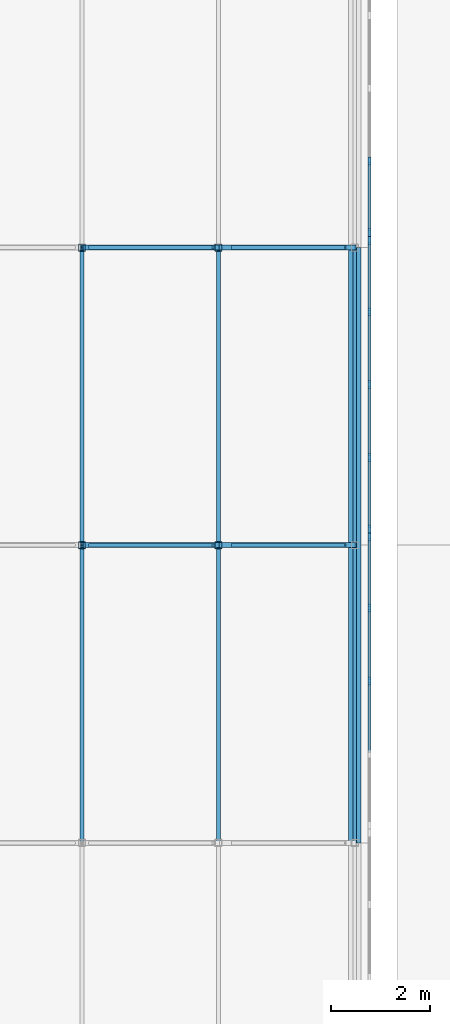
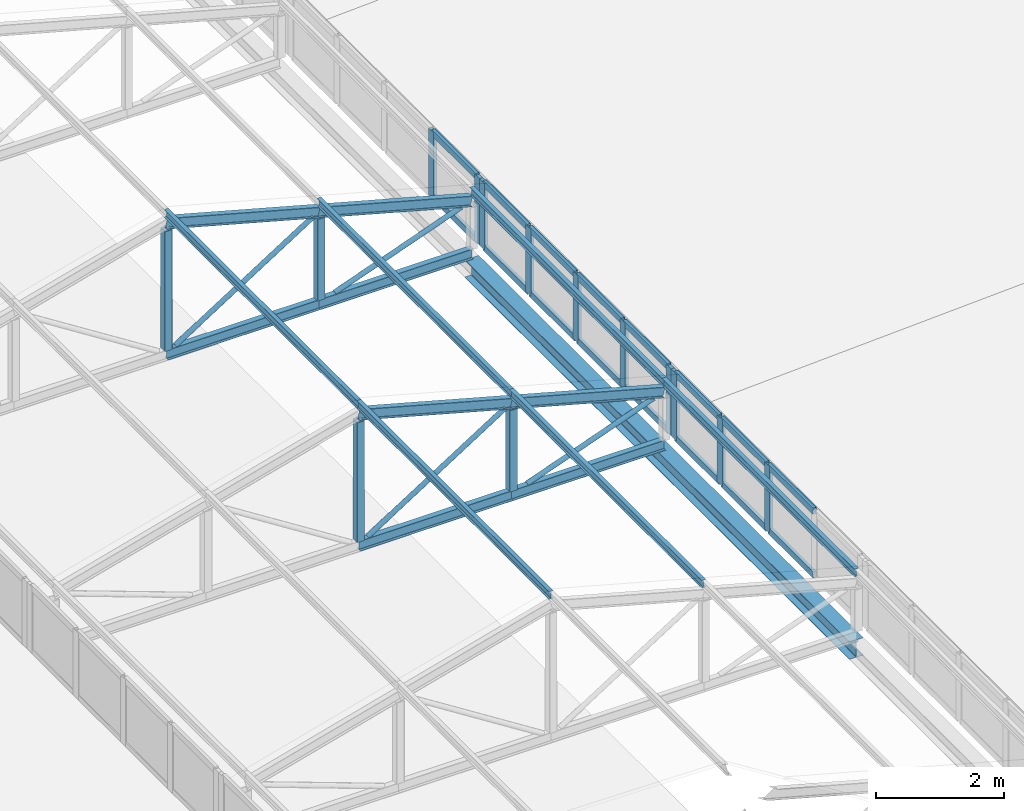
# One storey, part 15 of 94: 48 members, 1 beam, 3 elements without a shape of their own.
"""IFC4 building model written with IfcOpenShell, lengths in metres."""

from ifc_helpers import new_model, si_unit, direction, frame, origin, origin_2d, place, context, subcontext, project, spatial, rectangle, hollow_rectangle, hollow_circle, i_section, extrude, material, layer, layer_set, material_profile, profile_set, type_object, element, aggregate, save


model = new_model("IFC4")

# Units and contexts
model_context = context("Model", 3, precision=1e-05, world=origin(), true_north=direction((0.0, 1.0)))
body_context = subcontext(model_context, "Body", "Model", "MODEL_VIEW")
ifc_project = project(units=[si_unit("LENGTHUNIT", "METRE"), si_unit("AREAUNIT", "SQUARE_METRE"), si_unit("VOLUMEUNIT", "CUBIC_METRE"), si_unit("PLANEANGLEUNIT", "RADIAN"), si_unit("MASSUNIT", "GRAM", prefix="KILO")], contexts=[model_context])

# Site, building, storey
site_placement = place(None, origin())
site = spatial("IfcSite", under=ifc_project, at=site_placement, CompositionType="ELEMENT")
building_placement = place(site_placement, origin())
building = spatial("IfcBuilding", under=site, at=building_placement, Name="Lilac Gate Convention Centre", CompositionType="ELEMENT")
storey_placement = place(building_placement, frame((0.0, 0.0, 21.0)))
storey = spatial("IfcBuildingStorey", under=building, at=storey_placement, Name="L04", CompositionType="ELEMENT", Elevation=21.0)

# Curtain wall, members
ifc_material_1 = material(Name="Aluminium framed double glazing", Category="aluminium")
ifc_layer = layer(ifc_material_1, 0.199951171875)
ifc_layer_set = layer_set([ifc_layer], Name="Aluminium framed double glazing")
curtain_wall_type = type_object("IfcCurtainWallType", Name="Unitised curtain wall 1500", PredefinedType="NOTDEFINED", material=ifc_layer_set)
curtain_wall_1_placement = place(storey_placement, origin())
curtain_wall_1 = element("IfcCurtainWall", 1, at=curtain_wall_1_placement, inside=storey, type_object=curtain_wall_type, Name="Lantern clerestory E 6", PredefinedType="NOTDEFINED")
ifc_material_2 = material(Name="Aluminium alloy 6063", Category="aluminium")
ifc_material_profile_1 = material_profile(ifc_material_2, rectangle(XDim=0.06005859375, YDim=0.159912109375, at=origin_2d()), Name="Curtain wall mullion 60 x 160")
ifc_profile_set_1 = profile_set([ifc_material_profile_1], Name="Aluminium alloy 6063")
member_type_1 = type_object("IfcMemberType", Name="Curtain wall mullion 60 x 160", PredefinedType="MULLION", material=ifc_profile_set_1)
member_1_placement = place(storey_placement, frame((28.89990234375, 63.262451171875, 0.0), z_axis=(0.0, 0.0, 1.0), x_axis=(-1.0, 0.0, 0.0)))
member_1 = element("IfcMember", 2, at=member_1_placement, type_object=member_type_1, Name="CW mullion 3", PredefinedType="MULLION", context=body_context, shape_type="SweptSolid", body=[
    extrude(rectangle(XDim=0.06005859375, YDim=0.159912109375, at=origin_2d()), origin(), (0.0, 0.0, 1.0), 1.272216796875),
])
member_2_placement = place(storey_placement, frame((28.89990234375, 64.731201171875, 0.0), z_axis=(0.0, 0.0, 1.0), x_axis=(-1.0, 0.0, 0.0)))
member_2 = element("IfcMember", 3, at=member_2_placement, type_object=member_type_1, Name="CW mullion 4", PredefinedType="MULLION", context=body_context, shape_type="SweptSolid", body=[
    extrude(rectangle(XDim=0.06005859375, YDim=0.159912109375, at=origin_2d()), origin(), (0.0, 0.0, 1.0), 1.272216796875),
])
member_3_placement = place(storey_placement, frame((28.89990234375, 66.169921875, 0.0), z_axis=(0.0, 0.0, 1.0), x_axis=(-1.0, 0.0, 0.0)))
member_3 = element("IfcMember", 4, at=member_3_placement, type_object=member_type_1, Name="CW mullion 5", PredefinedType="MULLION", context=body_context, shape_type="SweptSolid", body=[
    extrude(rectangle(XDim=0.06005859375, YDim=0.159912109375, at=origin_2d()), origin(), (0.0, 0.0, 1.0), 1.272216796875),
])

curtain_wall_2_placement = place(storey_placement, origin())
curtain_wall_2 = element("IfcCurtainWall", 5, at=curtain_wall_2_placement, inside=storey, type_object=curtain_wall_type, Name="Lantern clerestory E 7", PredefinedType="NOTDEFINED")
member_4_placement = place(storey_placement, frame((28.89990234375, 66.330078125, 0.0), z_axis=(0.0, 0.0, 1.0), x_axis=(-1.0, 0.0, 0.0)))
member_4 = element("IfcMember", 6, at=member_4_placement, type_object=member_type_1, Name="CW mullion 1", PredefinedType="MULLION", context=body_context, shape_type="SweptSolid", body=[
    extrude(rectangle(XDim=0.06005859375, YDim=0.159912109375, at=origin_2d()), origin(), (0.0, 0.0, 1.0), 1.272216796875),
])
member_5_placement = place(storey_placement, frame((28.89990234375, 67.768798828125, 0.0), z_axis=(0.0, 0.0, 1.0), x_axis=(-1.0, 0.0, 0.0)))
member_5 = element("IfcMember", 7, at=member_5_placement, type_object=member_type_1, Name="CW mullion 2", PredefinedType="MULLION", context=body_context, shape_type="SweptSolid", body=[
    extrude(rectangle(XDim=0.06005859375, YDim=0.159912109375, at=origin_2d()), origin(), (0.0, 0.0, 1.0), 1.272216796875),
])
member_6_placement = place(storey_placement, frame((28.89990234375, 69.237548828125, 0.0), z_axis=(0.0, 0.0, 1.0), x_axis=(-1.0, 0.0, 0.0)))
member_6 = element("IfcMember", 8, at=member_6_placement, type_object=member_type_1, Name="CW mullion 3", PredefinedType="MULLION", context=body_context, shape_type="SweptSolid", body=[
    extrude(rectangle(XDim=0.06005859375, YDim=0.159912109375, at=origin_2d()), origin(), (0.0, 0.0, 1.0), 1.272216796875),
])
member_7_placement = place(storey_placement, frame((28.89990234375, 70.706298828125, 0.0), z_axis=(0.0, 0.0, 1.0), x_axis=(-1.0, 0.0, 0.0)))
member_7 = element("IfcMember", 9, at=member_7_placement, type_object=member_type_1, Name="CW mullion 4", PredefinedType="MULLION", context=body_context, shape_type="SweptSolid", body=[
    extrude(rectangle(XDim=0.06005859375, YDim=0.159912109375, at=origin_2d()), origin(), (0.0, 0.0, 1.0), 1.272216796875),
])
member_8_placement = place(storey_placement, frame((28.89990234375, 72.14501953125, 0.0), z_axis=(0.0, 0.0, 1.0), x_axis=(-1.0, 0.0, 0.0)))
member_8 = element("IfcMember", 10, at=member_8_placement, type_object=member_type_1, Name="CW mullion 5", PredefinedType="MULLION", context=body_context, shape_type="SweptSolid", body=[
    extrude(rectangle(XDim=0.06005859375, YDim=0.159912109375, at=origin_2d()), origin(), (0.0, 0.0, 1.0), 1.272216796875),
])

curtain_wall_3_placement = place(storey_placement, origin())
curtain_wall_3 = element("IfcCurtainWall", 11, at=curtain_wall_3_placement, inside=storey, type_object=curtain_wall_type, Name="Lantern clerestory E 8", PredefinedType="NOTDEFINED")
member_9_placement = place(storey_placement, frame((28.89990234375, 72.304931640625, 0.0), z_axis=(0.0, 0.0, 1.0), x_axis=(-1.0, 0.0, 0.0)))
member_9 = element("IfcMember", 12, at=member_9_placement, type_object=member_type_1, Name="CW mullion 1", PredefinedType="MULLION", context=body_context, shape_type="SweptSolid", body=[
    extrude(rectangle(XDim=0.06005859375, YDim=0.159912109375, at=origin_2d()), origin(), (0.0, 0.0, 1.0), 1.272216796875),
])
member_10_placement = place(storey_placement, frame((28.89990234375, 73.74365234375, 0.0), z_axis=(0.0, 0.0, 1.0), x_axis=(-1.0, 0.0, 0.0)))
member_10 = element("IfcMember", 13, at=member_10_placement, type_object=member_type_1, Name="CW mullion 2", PredefinedType="MULLION", context=body_context, shape_type="SweptSolid", body=[
    extrude(rectangle(XDim=0.06005859375, YDim=0.159912109375, at=origin_2d()), origin(), (0.0, 0.0, 1.0), 1.272216796875),
])

# Member
ifc_material_profile_2 = material_profile(ifc_material_2, rectangle(XDim=0.06005859375, YDim=0.1201171875, at=origin_2d()), Name="Curtain wall transom 60 x 120")
ifc_profile_set_2 = profile_set([ifc_material_profile_2], Name="Aluminium alloy 6063")
member_type_2 = type_object("IfcMemberType", Name="Curtain wall transom 60 x 120", PredefinedType="USERDEFINED", material=ifc_profile_set_2)
member_11_placement = place(storey_placement, frame((28.89990234375, 61.82373046875, 0.030029296875), z_axis=(0.0, 1.0, 0.0), x_axis=(-1.0, 0.0, 0.0)))
member_11 = element("IfcMember", 14, at=member_11_placement, type_object=member_type_2, Name="CW transom 2.1", ObjectType="TRANSOM", PredefinedType="USERDEFINED", context=body_context, shape_type="SweptSolid", body=[
    extrude(rectangle(XDim=0.06005859375, YDim=0.1201171875, at=origin_2d()), origin(), (0.0, 0.0, 1.0), 1.40869140625),
])

member_12_placement = place(storey_placement, frame((28.89990234375, 61.82373046875, 1.2421875), z_axis=(0.0, 1.0, 0.0), x_axis=(-1.0, 0.0, 0.0)))
member_12 = element("IfcMember", 15, at=member_12_placement, type_object=member_type_2, Name="CW transom 2.2", ObjectType="TRANSOM", PredefinedType="USERDEFINED", context=body_context, shape_type="SweptSolid", body=[
    extrude(rectangle(XDim=0.06005859375, YDim=0.1201171875, at=origin_2d()), origin(), (0.0, 0.0, 1.0), 1.40869140625),
])

member_13_placement = place(storey_placement, frame((28.89990234375, 63.29248046875, 0.030029296875), z_axis=(0.0, 1.0, 0.0), x_axis=(-1.0, 0.0, 0.0)))
member_13 = element("IfcMember", 16, at=member_13_placement, type_object=member_type_2, Name="CW transom 3.1", ObjectType="TRANSOM", PredefinedType="USERDEFINED", context=body_context, shape_type="SweptSolid", body=[
    extrude(rectangle(XDim=0.06005859375, YDim=0.1201171875, at=origin_2d()), origin(), (0.0, 0.0, 1.0), 1.40869140625),
])

member_14_placement = place(storey_placement, frame((28.89990234375, 63.29248046875, 1.2421875), z_axis=(0.0, 1.0, 0.0), x_axis=(-1.0, 0.0, 0.0)))
member_14 = element("IfcMember", 17, at=member_14_placement, type_object=member_type_2, Name="CW transom 3.2", ObjectType="TRANSOM", PredefinedType="USERDEFINED", context=body_context, shape_type="SweptSolid", body=[
    extrude(rectangle(XDim=0.06005859375, YDim=0.1201171875, at=origin_2d()), origin(), (0.0, 0.0, 1.0), 1.40869140625),
])

member_15_placement = place(storey_placement, frame((28.89990234375, 64.76123046875, 0.030029296875), z_axis=(0.0, 1.0, 0.0), x_axis=(-1.0, 0.0, 0.0)))
member_15 = element("IfcMember", 18, at=member_15_placement, type_object=member_type_2, Name="CW transom 4.1", ObjectType="TRANSOM", PredefinedType="USERDEFINED", context=body_context, shape_type="SweptSolid", body=[
    extrude(rectangle(XDim=0.06005859375, YDim=0.1201171875, at=origin_2d()), origin(), (0.0, 0.0, 1.0), 1.378662109375),
])

member_16_placement = place(storey_placement, frame((28.89990234375, 64.76123046875, 1.2421875), z_axis=(0.0, 1.0, 0.0), x_axis=(-1.0, 0.0, 0.0)))
member_16 = element("IfcMember", 19, at=member_16_placement, type_object=member_type_2, Name="CW transom 4.2", ObjectType="TRANSOM", PredefinedType="USERDEFINED", context=body_context, shape_type="SweptSolid", body=[
    extrude(rectangle(XDim=0.06005859375, YDim=0.1201171875, at=origin_2d()), origin(), (0.0, 0.0, 1.0), 1.378662109375),
])

aggregate(curtain_wall_1, [member_1, member_2, member_3, member_11, member_12, member_13, member_14, member_15, member_16])

member_17_placement = place(storey_placement, frame((28.89990234375, 66.360107421875, 0.030029296875), z_axis=(0.0, 1.0, 0.0), x_axis=(-1.0, 0.0, 0.0)))
member_17 = element("IfcMember", 20, at=member_17_placement, type_object=member_type_2, Name="CW transom 1.1", ObjectType="TRANSOM", PredefinedType="USERDEFINED", context=body_context, shape_type="SweptSolid", body=[
    extrude(rectangle(XDim=0.06005859375, YDim=0.1201171875, at=origin_2d()), origin(), (0.0, 0.0, 1.0), 1.378662109375),
])

member_18_placement = place(storey_placement, frame((28.89990234375, 66.360107421875, 1.2421875), z_axis=(0.0, 1.0, 0.0), x_axis=(-1.0, 0.0, 0.0)))
member_18 = element("IfcMember", 21, at=member_18_placement, type_object=member_type_2, Name="CW transom 1.2", ObjectType="TRANSOM", PredefinedType="USERDEFINED", context=body_context, shape_type="SweptSolid", body=[
    extrude(rectangle(XDim=0.06005859375, YDim=0.1201171875, at=origin_2d()), origin(), (0.0, 0.0, 1.0), 1.378662109375),
])

member_19_placement = place(storey_placement, frame((28.89990234375, 67.798828125, 0.030029296875), z_axis=(0.0, 1.0, 0.0), x_axis=(-1.0, 0.0, 0.0)))
member_19 = element("IfcMember", 22, at=member_19_placement, type_object=member_type_2, Name="CW transom 2.1", ObjectType="TRANSOM", PredefinedType="USERDEFINED", context=body_context, shape_type="SweptSolid", body=[
    extrude(rectangle(XDim=0.06005859375, YDim=0.1201171875, at=origin_2d()), origin(), (0.0, 0.0, 1.0), 1.40869140625),
])

member_20_placement = place(storey_placement, frame((28.89990234375, 67.798828125, 1.2421875), z_axis=(0.0, 1.0, 0.0), x_axis=(-1.0, 0.0, 0.0)))
member_20 = element("IfcMember", 23, at=member_20_placement, type_object=member_type_2, Name="CW transom 2.2", ObjectType="TRANSOM", PredefinedType="USERDEFINED", context=body_context, shape_type="SweptSolid", body=[
    extrude(rectangle(XDim=0.06005859375, YDim=0.1201171875, at=origin_2d()), origin(), (0.0, 0.0, 1.0), 1.40869140625),
])

member_21_placement = place(storey_placement, frame((28.89990234375, 69.267578125, 0.030029296875), z_axis=(0.0, 1.0, 0.0), x_axis=(-1.0, 0.0, 0.0)))
member_21 = element("IfcMember", 24, at=member_21_placement, type_object=member_type_2, Name="CW transom 3.1", ObjectType="TRANSOM", PredefinedType="USERDEFINED", context=body_context, shape_type="SweptSolid", body=[
    extrude(rectangle(XDim=0.06005859375, YDim=0.1201171875, at=origin_2d()), origin(), (0.0, 0.0, 1.0), 1.40869140625),
])

member_22_placement = place(storey_placement, frame((28.89990234375, 69.267578125, 1.2421875), z_axis=(0.0, 1.0, 0.0), x_axis=(-1.0, 0.0, 0.0)))
member_22 = element("IfcMember", 25, at=member_22_placement, type_object=member_type_2, Name="CW transom 3.2", ObjectType="TRANSOM", PredefinedType="USERDEFINED", context=body_context, shape_type="SweptSolid", body=[
    extrude(rectangle(XDim=0.06005859375, YDim=0.1201171875, at=origin_2d()), origin(), (0.0, 0.0, 1.0), 1.40869140625),
])

member_23_placement = place(storey_placement, frame((28.89990234375, 70.736328125, 0.030029296875), z_axis=(0.0, 1.0, 0.0), x_axis=(-1.0, 0.0, 0.0)))
member_23 = element("IfcMember", 26, at=member_23_placement, type_object=member_type_2, Name="CW transom 4.1", ObjectType="TRANSOM", PredefinedType="USERDEFINED", context=body_context, shape_type="SweptSolid", body=[
    extrude(rectangle(XDim=0.06005859375, YDim=0.1201171875, at=origin_2d()), origin(), (0.0, 0.0, 1.0), 1.378662109375),
])

member_24_placement = place(storey_placement, frame((28.89990234375, 70.736328125, 1.2421875), z_axis=(0.0, 1.0, 0.0), x_axis=(-1.0, 0.0, 0.0)))
member_24 = element("IfcMember", 27, at=member_24_placement, type_object=member_type_2, Name="CW transom 4.2", ObjectType="TRANSOM", PredefinedType="USERDEFINED", context=body_context, shape_type="SweptSolid", body=[
    extrude(rectangle(XDim=0.06005859375, YDim=0.1201171875, at=origin_2d()), origin(), (0.0, 0.0, 1.0), 1.378662109375),
])

aggregate(curtain_wall_2, [member_4, member_5, member_6, member_7, member_8, member_17, member_18, member_19, member_20, member_21, member_22, member_23, member_24])

member_25_placement = place(storey_placement, frame((28.89990234375, 72.3349609375, 0.030029296875), z_axis=(0.0, 1.0, 0.0), x_axis=(-1.0, 0.0, 0.0)))
member_25 = element("IfcMember", 28, at=member_25_placement, type_object=member_type_2, Name="CW transom 1.1", ObjectType="TRANSOM", PredefinedType="USERDEFINED", context=body_context, shape_type="SweptSolid", body=[
    extrude(rectangle(XDim=0.06005859375, YDim=0.1201171875, at=origin_2d()), origin(), (0.0, 0.0, 1.0), 1.378662109375),
])

member_26_placement = place(storey_placement, frame((28.89990234375, 72.3349609375, 1.2421875), z_axis=(0.0, 1.0, 0.0), x_axis=(-1.0, 0.0, 0.0)))
member_26 = element("IfcMember", 29, at=member_26_placement, type_object=member_type_2, Name="CW transom 1.2", ObjectType="TRANSOM", PredefinedType="USERDEFINED", context=body_context, shape_type="SweptSolid", body=[
    extrude(rectangle(XDim=0.06005859375, YDim=0.1201171875, at=origin_2d()), origin(), (0.0, 0.0, 1.0), 1.378662109375),
])

aggregate(curtain_wall_3, [member_9, member_10, member_25, member_26])

# Members
ifc_material_3 = material(Name="Steel Q355B", Category="steel")
ifc_material_profile_3 = material_profile(ifc_material_3, i_section(OverallWidth=0.10009765625, OverallDepth=0.199951171875, WebThickness=0.005615234375, FlangeThickness=0.008056640625, FilletRadius=0.008056640625, at=origin_2d()), Name="HN200x100x5.5x8")
ifc_profile_set_3 = profile_set([ifc_material_profile_3], Name="Steel Q355B")
member_type_3 = type_object("IfcMemberType", Name="Lantern bottom chord HN200x100x5.5x8", PredefinedType="CHORD", material=ifc_profile_set_3)
for number, where, z_axis, x_axis, name in (
    (30, (23.10009765625, 66.0, 0.10009765625), (1.0, 0.0, 0.0), (0.0, 1.0, 0.0), "LB1 lantern truss 7 bottom chord 3"),
    (31, (25.85009765625, 66.0, 0.10009765625), (1.0, 0.0, 0.0), (0.0, 1.0, 0.0), "LB1 lantern truss 7 bottom chord 4"),
    (32, (23.10009765625, 72.0, 0.10009765625), (1.0, 0.0, 0.0), (0.0, 1.0, 0.0), "LB1 lantern truss 8 bottom chord 3"),
    (33, (25.85009765625, 72.0, 0.10009765625), (1.0, 0.0, 0.0), (0.0, 1.0, 0.0), "LB1 lantern truss 8 bottom chord 4"),
):
    element("IfcMember", number, at=place(storey_placement, frame(where, z_axis=z_axis, x_axis=x_axis)), inside=storey, type_object=member_type_3, Name=name, PredefinedType="CHORD", context=body_context, shape_type="SweptSolid", body=[
        extrude(i_section(OverallWidth=0.10009765625, OverallDepth=0.199951171875, WebThickness=0.005615234375, FlangeThickness=0.008056640625, FilletRadius=0.008056640625, at=origin_2d()), origin(), (0.0, 0.0, 1.0), 2.75),
    ])
ifc_material_profile_4 = material_profile(ifc_material_3, hollow_circle(Radius=0.04443359375, WallThickness=0.0048828125, at=origin_2d()), Name="CHS88.9x5")
ifc_profile_set_4 = profile_set([ifc_material_profile_4], Name="Steel Q355B")
member_type_4 = type_object("IfcMemberType", Name="Lantern diagonal CHS88.9x5", PredefinedType="BRACE", material=ifc_profile_set_4)
member_27_placement = place(storey_placement, frame((25.74169921875, 66.0, 1.781005859375), z_axis=(-0.843671728148, 0.0, -0.536859399773), x_axis=(0.0, -1.0, 0.0)))
element("IfcMember", 34, at=member_27_placement, inside=storey, type_object=member_type_4, Name="LW1 lantern truss 7 diagonal 3", PredefinedType="BRACE", context=body_context, shape_type="SweptSolid", body=[
    extrude(hollow_circle(Radius=0.04443359375, WallThickness=0.0048828125, at=origin_2d()), origin(), (0.0, 0.0, 1.0), 2.945068359375),
])
member_28_placement = place(storey_placement, frame((28.410400390625, 66.0, 1.031005859375), z_axis=(-0.939793423488, 0.0, -0.341743063087), x_axis=(0.0, -1.0, 0.0)))
element("IfcMember", 35, at=member_28_placement, inside=storey, type_object=member_type_4, Name="LW1 lantern truss 7 diagonal 4", PredefinedType="BRACE", context=body_context, shape_type="SweptSolid", body=[
    extrude(hollow_circle(Radius=0.04443359375, WallThickness=0.0048828125, at=origin_2d()), origin(), (0.0, 0.0, 1.0), 2.431884765625),
])
member_29_placement = place(storey_placement, frame((25.74169921875, 72.0, 1.781005859375), z_axis=(-0.843671728148, 0.0, -0.536859399773), x_axis=(0.0, -1.0, 0.0)))
element("IfcMember", 36, at=member_29_placement, inside=storey, type_object=member_type_4, Name="LW1 lantern truss 8 diagonal 3", PredefinedType="BRACE", context=body_context, shape_type="SweptSolid", body=[
    extrude(hollow_circle(Radius=0.04443359375, WallThickness=0.0048828125, at=origin_2d()), origin(), (0.0, 0.0, 1.0), 2.945068359375),
])
member_30_placement = place(storey_placement, frame((28.410400390625, 72.0, 1.031005859375), z_axis=(-0.939793423488, 0.0, -0.341743063087), x_axis=(0.0, -1.0, 0.0)))
element("IfcMember", 37, at=member_30_placement, inside=storey, type_object=member_type_4, Name="LW1 lantern truss 8 diagonal 4", PredefinedType="BRACE", context=body_context, shape_type="SweptSolid", body=[
    extrude(hollow_circle(Radius=0.04443359375, WallThickness=0.0048828125, at=origin_2d()), origin(), (0.0, 0.0, 1.0), 2.431884765625),
])
ifc_material_profile_5 = material_profile(ifc_material_3, hollow_rectangle(XDim=0.139892578125, YDim=0.139892578125, WallThickness=0.0048828125, InnerFilletRadius=0.0048828125, OuterFilletRadius=0.010009765625, at=origin_2d()), Name="SHS140x140x5")
ifc_profile_set_5 = profile_set([ifc_material_profile_5], Name="Steel Q355B")
member_type_5 = type_object("IfcMemberType", Name="Lantern post SHS140x140x5", PredefinedType="STRUT", material=ifc_profile_set_5)
member_31_placement = place(storey_placement, frame((23.10009765625, 66.0, 0.199951171875), z_axis=(0.0, 0.0, 1.0), x_axis=(1.0, 0.0, 0.0)))
element("IfcMember", 38, at=member_31_placement, inside=storey, type_object=member_type_5, Name="LV1 lantern truss 7 post 3", PredefinedType="STRUT", context=body_context, shape_type="SweptSolid", body=[
    extrude(hollow_rectangle(XDim=0.139892578125, YDim=0.139892578125, WallThickness=0.0048828125, InnerFilletRadius=0.0048828125, OuterFilletRadius=0.010009765625, at=origin_2d()), origin(), (0.0, 0.0, 1.0), 2.277099609375),
])
member_32_placement = place(storey_placement, frame((25.85009765625, 66.0, 0.199951171875), z_axis=(0.0, 0.0, 1.0), x_axis=(1.0, 0.0, 0.0)))
element("IfcMember", 39, at=member_32_placement, inside=storey, type_object=member_type_5, Name="LV1 lantern truss 7 post 4", PredefinedType="STRUT", context=body_context, shape_type="SweptSolid", body=[
    extrude(hollow_rectangle(XDim=0.139892578125, YDim=0.139892578125, WallThickness=0.0048828125, InnerFilletRadius=0.0048828125, OuterFilletRadius=0.010009765625, at=origin_2d()), origin(), (0.0, 0.0, 1.0), 1.546142578125),
])
member_33_placement = place(storey_placement, frame((23.10009765625, 72.0, 0.199951171875), z_axis=(0.0, 0.0, 1.0), x_axis=(1.0, 0.0, 0.0)))
element("IfcMember", 40, at=member_33_placement, inside=storey, type_object=member_type_5, Name="LV1 lantern truss 8 post 3", PredefinedType="STRUT", context=body_context, shape_type="SweptSolid", body=[
    extrude(hollow_rectangle(XDim=0.139892578125, YDim=0.139892578125, WallThickness=0.0048828125, InnerFilletRadius=0.0048828125, OuterFilletRadius=0.010009765625, at=origin_2d()), origin(), (0.0, 0.0, 1.0), 2.277099609375),
])
member_34_placement = place(storey_placement, frame((25.85009765625, 72.0, 0.199951171875), z_axis=(0.0, 0.0, 1.0), x_axis=(1.0, 0.0, 0.0)))
element("IfcMember", 41, at=member_34_placement, inside=storey, type_object=member_type_5, Name="LV1 lantern truss 8 post 4", PredefinedType="STRUT", context=body_context, shape_type="SweptSolid", body=[
    extrude(hollow_rectangle(XDim=0.139892578125, YDim=0.139892578125, WallThickness=0.0048828125, InnerFilletRadius=0.0048828125, OuterFilletRadius=0.010009765625, at=origin_2d()), origin(), (0.0, 0.0, 1.0), 1.546142578125),
])
ifc_material_profile_6 = material_profile(ifc_material_3, i_section(OverallWidth=0.074951171875, OverallDepth=0.14990234375, WebThickness=0.0048828125, FlangeThickness=0.007080078125, FilletRadius=0.008056640625, at=origin_2d()), Name="HN150x75x5x7")
ifc_profile_set_6 = profile_set([ifc_material_profile_6], Name="Steel Q355B")
member_type_6 = type_object("IfcMemberType", Name="Lantern purlin HN150x75x5x7", PredefinedType="PURLIN", material=ifc_profile_set_6)
for number, where, z_axis, x_axis, name in (
    (42, (23.10009765625, 60.0, 2.779052734375), (0.0, 1.0, 0.0), (-1.0, 0.0, 0.0), "LP1 lantern purlin bay 6 line 3"),
    (43, (23.10009765625, 66.0, 2.779052734375), (0.0, 1.0, 0.0), (-1.0, 0.0, 0.0), "LP1 lantern purlin bay 7 line 3"),
    (44, (25.85009765625, 60.0, 2.029052734375), (0.0, 1.0, 0.0), (-1.0, 0.0, 0.0), "LP1 lantern purlin bay 6 line 4"),
    (45, (25.85009765625, 66.0, 2.029052734375), (0.0, 1.0, 0.0), (-1.0, 0.0, 0.0), "LP1 lantern purlin bay 7 line 4"),
    (46, (28.60009765625, 60.0, 1.279052734375), (0.0, 1.0, 0.0), (-1.0, 0.0, 0.0), "LP1 lantern purlin bay 6 line 5"),
    (47, (28.60009765625, 66.0, 1.279052734375), (0.0, 1.0, 0.0), (-1.0, 0.0, 0.0), "LP1 lantern purlin bay 7 line 5"),
):
    element("IfcMember", number, at=place(storey_placement, frame(where, z_axis=z_axis, x_axis=x_axis)), inside=storey, type_object=member_type_6, Name=name, PredefinedType="PURLIN", context=body_context, shape_type="SweptSolid", body=[
        extrude(i_section(OverallWidth=0.074951171875, OverallDepth=0.14990234375, WebThickness=0.0048828125, FlangeThickness=0.007080078125, FilletRadius=0.008056640625, at=origin_2d()), origin(), (0.0, 0.0, 1.0), 6.0),
    ])
ifc_material_profile_7 = material_profile(ifc_material_3, i_section(OverallWidth=0.10009765625, OverallDepth=0.199951171875, WebThickness=0.005615234375, FlangeThickness=0.008056640625, FilletRadius=0.008056640625, at=origin_2d()), Name="HN200x100x5.5x8")
ifc_profile_set_7 = profile_set([ifc_material_profile_7], Name="Steel Q355B")
member_type_7 = type_object("IfcMemberType", Name="Lantern top chord HN200x100x5.5x8", PredefinedType="CHORD", material=ifc_profile_set_7)
for number, where, z_axis, x_axis, name in (
    (48, (23.10009765625, 66.0, 2.60009765625), (0.964763821238, 0.0, -0.263117405792), (0.0, 1.0, 0.0), "LT1 lantern truss 7 top chord 3"),
    (49, (25.85009765625, 66.0, 1.85009765625), (0.964763821238, 0.0, -0.263117405792), (0.0, 1.0, 0.0), "LT1 lantern truss 7 top chord 4"),
    (50, (23.10009765625, 72.0, 2.60009765625), (0.964763821238, 0.0, -0.263117405792), (0.0, 1.0, 0.0), "LT1 lantern truss 8 top chord 3"),
    (51, (25.85009765625, 72.0, 1.85009765625), (0.964763821238, 0.0, -0.263117405792), (0.0, 1.0, 0.0), "LT1 lantern truss 8 top chord 4"),
):
    element("IfcMember", number, at=place(storey_placement, frame(where, z_axis=z_axis, x_axis=x_axis)), inside=storey, type_object=member_type_7, Name=name, PredefinedType="CHORD", context=body_context, shape_type="SweptSolid", body=[
        extrude(i_section(OverallWidth=0.10009765625, OverallDepth=0.199951171875, WebThickness=0.005615234375, FlangeThickness=0.008056640625, FilletRadius=0.008056640625, at=origin_2d()), origin(), (0.0, 0.0, 1.0), 2.850341796875),
    ])

# Beam
ifc_material_profile_8 = material_profile(ifc_material_3, i_section(OverallWidth=0.25, OverallDepth=0.340087890625, WebThickness=0.009033203125, FlangeThickness=0.013916015625, FilletRadius=0.012939453125, at=origin_2d()), Name="HM340x250x9x14")
ifc_profile_set_8 = profile_set([ifc_material_profile_8], Name="Steel Q355B")
beam_type = type_object("IfcBeamType", Name="Steel edge beam HM340x250x9x14", PredefinedType="BEAM", material=ifc_profile_set_8)
beam_placement = place(storey_placement, frame((28.60009765625, 60.0, -0.169921875), z_axis=(0.0, 1.0, 0.0), x_axis=(-1.0, 0.0, 0.0)))
element("IfcBeam", 52, at=beam_placement, inside=storey, type_object=beam_type, Name="LE1 lantern edge beam 4", PredefinedType="BEAM", context=body_context, shape_type="SweptSolid", body=[
    extrude(i_section(OverallWidth=0.25, OverallDepth=0.340087890625, WebThickness=0.009033203125, FlangeThickness=0.013916015625, FilletRadius=0.012939453125, at=origin_2d()), origin(), (0.0, 0.0, 1.0), 12.0),
])

save(model, "model.ifc")
